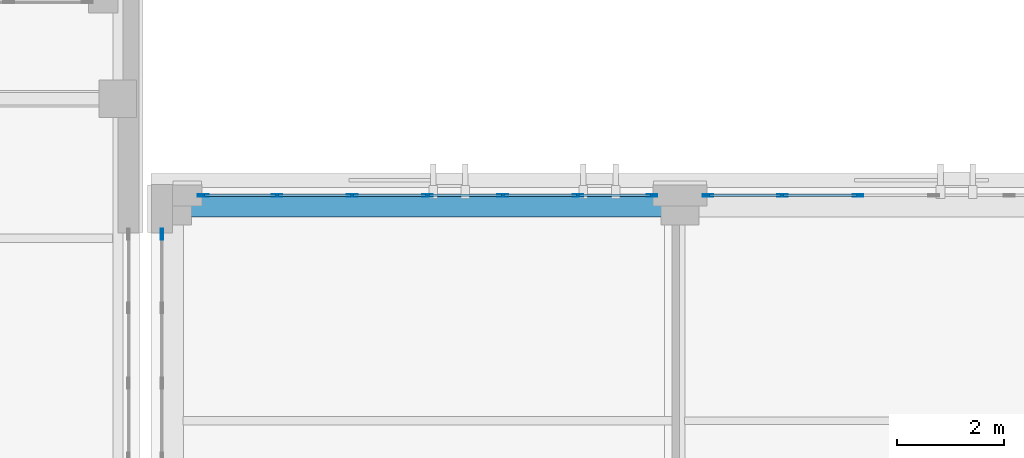
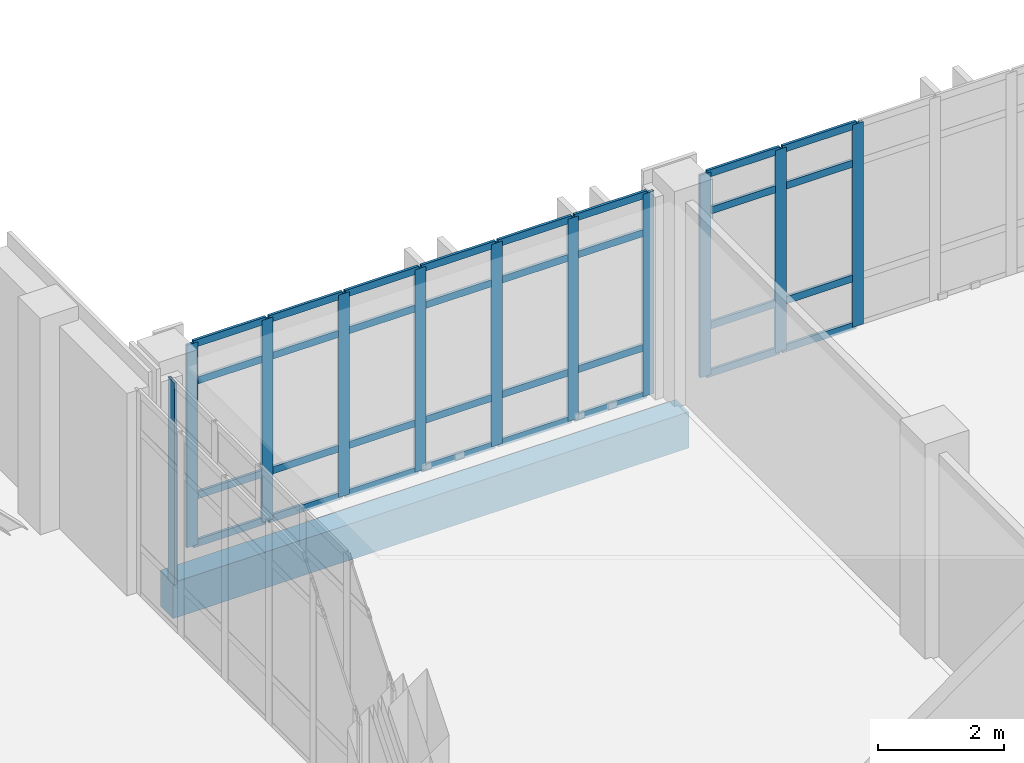
# One storey, part 24 of 158: 43 members, 1 beam, 3 elements without a shape of their own.
"""IFC4 building model written with IfcOpenShell, lengths in metres."""

from ifc_helpers import new_model, si_unit, direction, frame, origin, origin_2d, place, context, subcontext, project, spatial, rectangle, hollow_rectangle, extrude, material, layer, layer_set, material_profile, profile_set, type_object, element, aggregate, save


model = new_model("IFC4")

# Units and contexts
model_context = context("Model", 3, precision=1e-05, world=origin(), true_north=direction((0.0, 1.0)))
body_context = subcontext(model_context, "Body", "Model", "MODEL_VIEW")
ifc_project = project(units=[si_unit("LENGTHUNIT", "METRE"), si_unit("AREAUNIT", "SQUARE_METRE"), si_unit("VOLUMEUNIT", "CUBIC_METRE"), si_unit("PLANEANGLEUNIT", "RADIAN"), si_unit("MASSUNIT", "GRAM", prefix="KILO")], contexts=[model_context])

# Site, building, storey
site_placement = place(None, origin())
site = spatial("IfcSite", under=ifc_project, at=site_placement, CompositionType="ELEMENT")
building_placement = place(site_placement, origin())
building = spatial("IfcBuilding", under=site, at=building_placement, Name="Qalavern Law Courts", CompositionType="ELEMENT")
storey_placement = place(building_placement, frame((0.0, 0.0, 18.60009765625)))
storey = spatial("IfcBuildingStorey", under=building, at=storey_placement, Name="L04", CompositionType="ELEMENT", Elevation=18.60009765625)

# Curtain wall, members
ifc_material_1 = material(Name="Anodised aluminium and insulated glazing", Category="aluminium")
ifc_layer = layer(ifc_material_1, 0.18505859375)
ifc_layer_set = layer_set([ifc_layer], Name="Anodised aluminium and insulated glazing")
curtain_wall_type = type_object("IfcCurtainWallType", Name="ENV-CW-HALL", PredefinedType="USERDEFINED", material=ifc_layer_set)
curtain_wall_1_placement = place(storey_placement, origin())
curtain_wall_1 = element("IfcCurtainWall", 1, at=curtain_wall_1_placement, inside=storey, type_object=curtain_wall_type, Name="V2 unitised curtain wall L04 north 6", ObjectType="UNITISED CURTAIN WALL", PredefinedType="USERDEFINED")
ifc_material_2 = material(Name="Anodised aluminium", Category="aluminium")
ifc_material_profile_1 = material_profile(ifc_material_2, hollow_rectangle(XDim=0.048095703125, YDim=0.199951171875, WallThickness=0.00439453125, at=origin_2d()), Name="ALU MULLION 48x200")
ifc_profile_set_1 = profile_set([ifc_material_profile_1], Name="Anodised aluminium")
member_type_1 = type_object("IfcMemberType", Name="ENV-CWM-48x200", PredefinedType="MULLION", material=ifc_profile_set_1)
member_1_placement = place(storey_placement, frame((47.392333984375, 30.199951171875, 0.0), z_axis=(0.0, 0.0, 1.0), x_axis=(0.0, -1.0, 0.0)))
member_1 = element("IfcMember", 2, at=member_1_placement, type_object=member_type_1, Name="CW-02 mullion 5", PredefinedType="MULLION", context=body_context, shape_type="SweptSolid", body=[
    extrude(hollow_rectangle(XDim=0.048095703125, YDim=0.199951171875, WallThickness=0.00439453125, at=origin_2d()), origin(), (0.0, 0.0, 1.0), 3.9248046875),
])
member_2_placement = place(storey_placement, frame((45.9833984375, 30.199951171875, 0.0), z_axis=(0.0, 0.0, 1.0), x_axis=(0.0, -1.0, 0.0)))
member_2 = element("IfcMember", 3, at=member_2_placement, type_object=member_type_1, Name="CW-02 mullion 6", PredefinedType="MULLION", context=body_context, shape_type="SweptSolid", body=[
    extrude(hollow_rectangle(XDim=0.048095703125, YDim=0.199951171875, WallThickness=0.00439453125, at=origin_2d()), origin(), (0.0, 0.0, 1.0), 3.9248046875),
])
member_3_placement = place(storey_placement, frame((44.598388671875, 30.199951171875, 0.0), z_axis=(0.0, 0.0, 1.0), x_axis=(0.0, -1.0, 0.0)))
member_3 = element("IfcMember", 4, at=member_3_placement, type_object=member_type_1, Name="CW-02 mullion 7", PredefinedType="MULLION", context=body_context, shape_type="SweptSolid", body=[
    extrude(hollow_rectangle(XDim=0.048095703125, YDim=0.199951171875, WallThickness=0.00439453125, at=origin_2d()), origin(), (0.0, 0.0, 1.0), 3.9248046875),
])

curtain_wall_2_placement = place(storey_placement, origin())
curtain_wall_2 = element("IfcCurtainWall", 5, at=curtain_wall_2_placement, inside=storey, type_object=curtain_wall_type, Name="V2 unitised curtain wall L04 north 7", ObjectType="UNITISED CURTAIN WALL", PredefinedType="USERDEFINED")
member_4_placement = place(storey_placement, frame((43.55029296875, 30.199951171875, 0.0), z_axis=(0.0, 0.0, 1.0), x_axis=(0.0, -1.0, 0.0)))
member_4 = element("IfcMember", 6, at=member_4_placement, type_object=member_type_1, Name="CW-02 mullion 1", PredefinedType="MULLION", context=body_context, shape_type="SweptSolid", body=[
    extrude(hollow_rectangle(XDim=0.048095703125, YDim=0.199951171875, WallThickness=0.00439453125, at=origin_2d()), origin(), (0.0, 0.0, 1.0), 3.9248046875),
])
member_5_placement = place(storey_placement, frame((42.1728515625, 30.199951171875, 0.0), z_axis=(0.0, 0.0, 1.0), x_axis=(0.0, -1.0, 0.0)))
member_5 = element("IfcMember", 7, at=member_5_placement, type_object=member_type_1, Name="CW-02 mullion 2", PredefinedType="MULLION", context=body_context, shape_type="SweptSolid", body=[
    extrude(hollow_rectangle(XDim=0.048095703125, YDim=0.199951171875, WallThickness=0.00439453125, at=origin_2d()), origin(), (0.0, 0.0, 1.0), 3.9248046875),
])
member_6_placement = place(storey_placement, frame((40.771240234375, 30.199951171875, 0.0), z_axis=(0.0, 0.0, 1.0), x_axis=(0.0, -1.0, 0.0)))
member_6 = element("IfcMember", 8, at=member_6_placement, type_object=member_type_1, Name="CW-02 mullion 3", PredefinedType="MULLION", context=body_context, shape_type="SweptSolid", body=[
    extrude(hollow_rectangle(XDim=0.048095703125, YDim=0.199951171875, WallThickness=0.00439453125, at=origin_2d()), origin(), (0.0, 0.0, 1.0), 3.9248046875),
])
member_7_placement = place(storey_placement, frame((39.36962890625, 30.199951171875, 0.0), z_axis=(0.0, 0.0, 1.0), x_axis=(0.0, -1.0, 0.0)))
member_7 = element("IfcMember", 9, at=member_7_placement, type_object=member_type_1, Name="CW-02 mullion 4", PredefinedType="MULLION", context=body_context, shape_type="SweptSolid", body=[
    extrude(hollow_rectangle(XDim=0.048095703125, YDim=0.199951171875, WallThickness=0.00439453125, at=origin_2d()), origin(), (0.0, 0.0, 1.0), 3.9248046875),
])
member_8_placement = place(storey_placement, frame((37.968017578125, 30.199951171875, 0.0), z_axis=(0.0, 0.0, 1.0), x_axis=(0.0, -1.0, 0.0)))
member_8 = element("IfcMember", 10, at=member_8_placement, type_object=member_type_1, Name="CW-02 mullion 5", PredefinedType="MULLION", context=body_context, shape_type="SweptSolid", body=[
    extrude(hollow_rectangle(XDim=0.048095703125, YDim=0.199951171875, WallThickness=0.00439453125, at=origin_2d()), origin(), (0.0, 0.0, 1.0), 3.9248046875),
])
member_9_placement = place(storey_placement, frame((36.566650390625, 30.199951171875, 0.0), z_axis=(0.0, 0.0, 1.0), x_axis=(0.0, -1.0, 0.0)))
member_9 = element("IfcMember", 11, at=member_9_placement, type_object=member_type_1, Name="CW-02 mullion 6", PredefinedType="MULLION", context=body_context, shape_type="SweptSolid", body=[
    extrude(hollow_rectangle(XDim=0.048095703125, YDim=0.199951171875, WallThickness=0.00439453125, at=origin_2d()), origin(), (0.0, 0.0, 1.0), 3.9248046875),
])
member_10_placement = place(storey_placement, frame((35.18896484375, 30.199951171875, 0.0), z_axis=(0.0, 0.0, 1.0), x_axis=(0.0, -1.0, 0.0)))
member_10 = element("IfcMember", 12, at=member_10_placement, type_object=member_type_1, Name="CW-02 mullion 7", PredefinedType="MULLION", context=body_context, shape_type="SweptSolid", body=[
    extrude(hollow_rectangle(XDim=0.048095703125, YDim=0.199951171875, WallThickness=0.00439453125, at=origin_2d()), origin(), (0.0, 0.0, 1.0), 3.9248046875),
])

# Curtain wall, member
curtain_wall_3_placement = place(storey_placement, origin())
curtain_wall_3 = element("IfcCurtainWall", 13, at=curtain_wall_3_placement, inside=storey, type_object=curtain_wall_type, Name="V2 unitised curtain wall L04 west 1", ObjectType="UNITISED CURTAIN WALL", PredefinedType="USERDEFINED")
member_11_placement = place(storey_placement, frame((34.419921875, 29.47607421875, 0.0), z_axis=(0.0, 0.0, 1.0), x_axis=(1.0, 0.0, 0.0)))
member_11 = element("IfcMember", 14, at=member_11_placement, type_object=member_type_1, Name="CW-02 mullion 1", PredefinedType="MULLION", context=body_context, shape_type="SweptSolid", body=[
    extrude(hollow_rectangle(XDim=0.048095703125, YDim=0.199951171875, WallThickness=0.00439453125, at=origin_2d()), origin(), (0.0, 0.0, 1.0), 3.9248046875),
])
aggregate(curtain_wall_3, [member_11])

# Member
ifc_material_profile_2 = material_profile(ifc_material_2, hollow_rectangle(XDim=0.048095703125, YDim=0.139892578125, WallThickness=0.00390625, at=origin_2d()), Name="ALU TRANSOM 48x140")
ifc_profile_set_2 = profile_set([ifc_material_profile_2], Name="Anodised aluminium")
member_type_2 = type_object("IfcMemberType", Name="ENV-CWT-48x140", PredefinedType="USERDEFINED", material=ifc_profile_set_2)
member_12_placement = place(storey_placement, frame((47.368408203125, 30.199951171875, 0.02392578125), z_axis=(-1.0, 0.0, 0.0), x_axis=(0.0, -1.0, 0.0)))
member_12 = element("IfcMember", 15, at=member_12_placement, type_object=member_type_2, Name="CW-02 transom 5.1", ObjectType="TRANSOM", PredefinedType="USERDEFINED", context=body_context, shape_type="SweptSolid", body=[
    extrude(hollow_rectangle(XDim=0.048095703125, YDim=0.139892578125, WallThickness=0.00390625, at=origin_2d()), origin(), (0.0, 0.0, 1.0), 1.361083984375),
])

member_13_placement = place(storey_placement, frame((47.368408203125, 30.199951171875, 0.949951171875), z_axis=(-1.0, 0.0, 0.0), x_axis=(0.0, -1.0, 0.0)))
member_13 = element("IfcMember", 16, at=member_13_placement, type_object=member_type_2, Name="CW-02 transom 5.2", ObjectType="TRANSOM", PredefinedType="USERDEFINED", context=body_context, shape_type="SweptSolid", body=[
    extrude(hollow_rectangle(XDim=0.048095703125, YDim=0.139892578125, WallThickness=0.00390625, at=origin_2d()), origin(), (0.0, 0.0, 1.0), 1.361083984375),
])

member_14_placement = place(storey_placement, frame((47.368408203125, 30.199951171875, 3.1748046875), z_axis=(-1.0, 0.0, 0.0), x_axis=(0.0, -1.0, 0.0)))
member_14 = element("IfcMember", 17, at=member_14_placement, type_object=member_type_2, Name="CW-02 transom 5.3", ObjectType="TRANSOM", PredefinedType="USERDEFINED", context=body_context, shape_type="SweptSolid", body=[
    extrude(hollow_rectangle(XDim=0.048095703125, YDim=0.139892578125, WallThickness=0.00390625, at=origin_2d()), origin(), (0.0, 0.0, 1.0), 1.361083984375),
])

member_15_placement = place(storey_placement, frame((47.368408203125, 30.199951171875, 3.90087890625), z_axis=(-1.0, 0.0, 0.0), x_axis=(0.0, -1.0, 0.0)))
member_15 = element("IfcMember", 18, at=member_15_placement, type_object=member_type_2, Name="CW-02 transom 5.4", ObjectType="TRANSOM", PredefinedType="USERDEFINED", context=body_context, shape_type="SweptSolid", body=[
    extrude(hollow_rectangle(XDim=0.048095703125, YDim=0.139892578125, WallThickness=0.00390625, at=origin_2d()), origin(), (0.0, 0.0, 1.0), 1.361083984375),
])

member_16_placement = place(storey_placement, frame((45.959228515625, 30.199951171875, 0.02392578125), z_axis=(-1.0, 0.0, 0.0), x_axis=(0.0, -1.0, 0.0)))
member_16 = element("IfcMember", 19, at=member_16_placement, type_object=member_type_2, Name="CW-02 transom 6.1", ObjectType="TRANSOM", PredefinedType="USERDEFINED", context=body_context, shape_type="SweptSolid", body=[
    extrude(hollow_rectangle(XDim=0.048095703125, YDim=0.139892578125, WallThickness=0.00390625, at=origin_2d()), origin(), (0.0, 0.0, 1.0), 1.3369140625),
])

member_17_placement = place(storey_placement, frame((45.959228515625, 30.199951171875, 0.949951171875), z_axis=(-1.0, 0.0, 0.0), x_axis=(0.0, -1.0, 0.0)))
member_17 = element("IfcMember", 20, at=member_17_placement, type_object=member_type_2, Name="CW-02 transom 6.2", ObjectType="TRANSOM", PredefinedType="USERDEFINED", context=body_context, shape_type="SweptSolid", body=[
    extrude(hollow_rectangle(XDim=0.048095703125, YDim=0.139892578125, WallThickness=0.00390625, at=origin_2d()), origin(), (0.0, 0.0, 1.0), 1.3369140625),
])

member_18_placement = place(storey_placement, frame((45.959228515625, 30.199951171875, 3.1748046875), z_axis=(-1.0, 0.0, 0.0), x_axis=(0.0, -1.0, 0.0)))
member_18 = element("IfcMember", 21, at=member_18_placement, type_object=member_type_2, Name="CW-02 transom 6.3", ObjectType="TRANSOM", PredefinedType="USERDEFINED", context=body_context, shape_type="SweptSolid", body=[
    extrude(hollow_rectangle(XDim=0.048095703125, YDim=0.139892578125, WallThickness=0.00390625, at=origin_2d()), origin(), (0.0, 0.0, 1.0), 1.3369140625),
])

member_19_placement = place(storey_placement, frame((45.959228515625, 30.199951171875, 3.90087890625), z_axis=(-1.0, 0.0, 0.0), x_axis=(0.0, -1.0, 0.0)))
member_19 = element("IfcMember", 22, at=member_19_placement, type_object=member_type_2, Name="CW-02 transom 6.4", ObjectType="TRANSOM", PredefinedType="USERDEFINED", context=body_context, shape_type="SweptSolid", body=[
    extrude(hollow_rectangle(XDim=0.048095703125, YDim=0.139892578125, WallThickness=0.00390625, at=origin_2d()), origin(), (0.0, 0.0, 1.0), 1.3369140625),
])

aggregate(curtain_wall_1, [member_1, member_2, member_3, member_12, member_13, member_14, member_15, member_16, member_17, member_18, member_19])

member_20_placement = place(storey_placement, frame((43.5263671875, 30.199951171875, 0.02392578125), z_axis=(-1.0, 0.0, 0.0), x_axis=(0.0, -1.0, 0.0)))
member_20 = element("IfcMember", 23, at=member_20_placement, type_object=member_type_2, Name="CW-02 transom 1.1", ObjectType="TRANSOM", PredefinedType="USERDEFINED", context=body_context, shape_type="SweptSolid", body=[
    extrude(hollow_rectangle(XDim=0.048095703125, YDim=0.139892578125, WallThickness=0.00390625, at=origin_2d()), origin(), (0.0, 0.0, 1.0), 1.32958984375),
])

member_21_placement = place(storey_placement, frame((43.5263671875, 30.199951171875, 0.949951171875), z_axis=(-1.0, 0.0, 0.0), x_axis=(0.0, -1.0, 0.0)))
member_21 = element("IfcMember", 24, at=member_21_placement, type_object=member_type_2, Name="CW-02 transom 1.2", ObjectType="TRANSOM", PredefinedType="USERDEFINED", context=body_context, shape_type="SweptSolid", body=[
    extrude(hollow_rectangle(XDim=0.048095703125, YDim=0.139892578125, WallThickness=0.00390625, at=origin_2d()), origin(), (0.0, 0.0, 1.0), 1.32958984375),
])

member_22_placement = place(storey_placement, frame((43.5263671875, 30.199951171875, 3.1748046875), z_axis=(-1.0, 0.0, 0.0), x_axis=(0.0, -1.0, 0.0)))
member_22 = element("IfcMember", 25, at=member_22_placement, type_object=member_type_2, Name="CW-02 transom 1.3", ObjectType="TRANSOM", PredefinedType="USERDEFINED", context=body_context, shape_type="SweptSolid", body=[
    extrude(hollow_rectangle(XDim=0.048095703125, YDim=0.139892578125, WallThickness=0.00390625, at=origin_2d()), origin(), (0.0, 0.0, 1.0), 1.32958984375),
])

member_23_placement = place(storey_placement, frame((43.5263671875, 30.199951171875, 3.90087890625), z_axis=(-1.0, 0.0, 0.0), x_axis=(0.0, -1.0, 0.0)))
member_23 = element("IfcMember", 26, at=member_23_placement, type_object=member_type_2, Name="CW-02 transom 1.4", ObjectType="TRANSOM", PredefinedType="USERDEFINED", context=body_context, shape_type="SweptSolid", body=[
    extrude(hollow_rectangle(XDim=0.048095703125, YDim=0.139892578125, WallThickness=0.00390625, at=origin_2d()), origin(), (0.0, 0.0, 1.0), 1.32958984375),
])

member_24_placement = place(storey_placement, frame((42.148681640625, 30.199951171875, 0.02392578125), z_axis=(-1.0, 0.0, 0.0), x_axis=(0.0, -1.0, 0.0)))
member_24 = element("IfcMember", 27, at=member_24_placement, type_object=member_type_2, Name="CW-02 transom 2.1", ObjectType="TRANSOM", PredefinedType="USERDEFINED", context=body_context, shape_type="SweptSolid", body=[
    extrude(hollow_rectangle(XDim=0.048095703125, YDim=0.139892578125, WallThickness=0.00390625, at=origin_2d()), origin(), (0.0, 0.0, 1.0), 1.353515625),
])

member_25_placement = place(storey_placement, frame((42.148681640625, 30.199951171875, 0.949951171875), z_axis=(-1.0, 0.0, 0.0), x_axis=(0.0, -1.0, 0.0)))
member_25 = element("IfcMember", 28, at=member_25_placement, type_object=member_type_2, Name="CW-02 transom 2.2", ObjectType="TRANSOM", PredefinedType="USERDEFINED", context=body_context, shape_type="SweptSolid", body=[
    extrude(hollow_rectangle(XDim=0.048095703125, YDim=0.139892578125, WallThickness=0.00390625, at=origin_2d()), origin(), (0.0, 0.0, 1.0), 1.353515625),
])

member_26_placement = place(storey_placement, frame((42.148681640625, 30.199951171875, 3.1748046875), z_axis=(-1.0, 0.0, 0.0), x_axis=(0.0, -1.0, 0.0)))
member_26 = element("IfcMember", 29, at=member_26_placement, type_object=member_type_2, Name="CW-02 transom 2.3", ObjectType="TRANSOM", PredefinedType="USERDEFINED", context=body_context, shape_type="SweptSolid", body=[
    extrude(hollow_rectangle(XDim=0.048095703125, YDim=0.139892578125, WallThickness=0.00390625, at=origin_2d()), origin(), (0.0, 0.0, 1.0), 1.353515625),
])

member_27_placement = place(storey_placement, frame((42.148681640625, 30.199951171875, 3.90087890625), z_axis=(-1.0, 0.0, 0.0), x_axis=(0.0, -1.0, 0.0)))
member_27 = element("IfcMember", 30, at=member_27_placement, type_object=member_type_2, Name="CW-02 transom 2.4", ObjectType="TRANSOM", PredefinedType="USERDEFINED", context=body_context, shape_type="SweptSolid", body=[
    extrude(hollow_rectangle(XDim=0.048095703125, YDim=0.139892578125, WallThickness=0.00390625, at=origin_2d()), origin(), (0.0, 0.0, 1.0), 1.353515625),
])

member_28_placement = place(storey_placement, frame((40.747314453125, 30.199951171875, 0.02392578125), z_axis=(-1.0, 0.0, 0.0), x_axis=(0.0, -1.0, 0.0)))
member_28 = element("IfcMember", 31, at=member_28_placement, type_object=member_type_2, Name="CW-02 transom 3.1", ObjectType="TRANSOM", PredefinedType="USERDEFINED", context=body_context, shape_type="SweptSolid", body=[
    extrude(hollow_rectangle(XDim=0.048095703125, YDim=0.139892578125, WallThickness=0.00390625, at=origin_2d()), origin(), (0.0, 0.0, 1.0), 1.353759765625),
])

member_29_placement = place(storey_placement, frame((40.747314453125, 30.199951171875, 0.949951171875), z_axis=(-1.0, 0.0, 0.0), x_axis=(0.0, -1.0, 0.0)))
member_29 = element("IfcMember", 32, at=member_29_placement, type_object=member_type_2, Name="CW-02 transom 3.2", ObjectType="TRANSOM", PredefinedType="USERDEFINED", context=body_context, shape_type="SweptSolid", body=[
    extrude(hollow_rectangle(XDim=0.048095703125, YDim=0.139892578125, WallThickness=0.00390625, at=origin_2d()), origin(), (0.0, 0.0, 1.0), 1.353759765625),
])

member_30_placement = place(storey_placement, frame((40.747314453125, 30.199951171875, 3.1748046875), z_axis=(-1.0, 0.0, 0.0), x_axis=(0.0, -1.0, 0.0)))
member_30 = element("IfcMember", 33, at=member_30_placement, type_object=member_type_2, Name="CW-02 transom 3.3", ObjectType="TRANSOM", PredefinedType="USERDEFINED", context=body_context, shape_type="SweptSolid", body=[
    extrude(hollow_rectangle(XDim=0.048095703125, YDim=0.139892578125, WallThickness=0.00390625, at=origin_2d()), origin(), (0.0, 0.0, 1.0), 1.353759765625),
])

member_31_placement = place(storey_placement, frame((40.747314453125, 30.199951171875, 3.90087890625), z_axis=(-1.0, 0.0, 0.0), x_axis=(0.0, -1.0, 0.0)))
member_31 = element("IfcMember", 34, at=member_31_placement, type_object=member_type_2, Name="CW-02 transom 3.4", ObjectType="TRANSOM", PredefinedType="USERDEFINED", context=body_context, shape_type="SweptSolid", body=[
    extrude(hollow_rectangle(XDim=0.048095703125, YDim=0.139892578125, WallThickness=0.00390625, at=origin_2d()), origin(), (0.0, 0.0, 1.0), 1.353759765625),
])

member_32_placement = place(storey_placement, frame((39.345703125, 30.199951171875, 0.02392578125), z_axis=(-1.0, 0.0, 0.0), x_axis=(0.0, -1.0, 0.0)))
member_32 = element("IfcMember", 35, at=member_32_placement, type_object=member_type_2, Name="CW-02 transom 4.1", ObjectType="TRANSOM", PredefinedType="USERDEFINED", context=body_context, shape_type="SweptSolid", body=[
    extrude(hollow_rectangle(XDim=0.048095703125, YDim=0.139892578125, WallThickness=0.00390625, at=origin_2d()), origin(), (0.0, 0.0, 1.0), 1.353515625),
])

member_33_placement = place(storey_placement, frame((39.345703125, 30.199951171875, 0.949951171875), z_axis=(-1.0, 0.0, 0.0), x_axis=(0.0, -1.0, 0.0)))
member_33 = element("IfcMember", 36, at=member_33_placement, type_object=member_type_2, Name="CW-02 transom 4.2", ObjectType="TRANSOM", PredefinedType="USERDEFINED", context=body_context, shape_type="SweptSolid", body=[
    extrude(hollow_rectangle(XDim=0.048095703125, YDim=0.139892578125, WallThickness=0.00390625, at=origin_2d()), origin(), (0.0, 0.0, 1.0), 1.353515625),
])

member_34_placement = place(storey_placement, frame((39.345703125, 30.199951171875, 3.1748046875), z_axis=(-1.0, 0.0, 0.0), x_axis=(0.0, -1.0, 0.0)))
member_34 = element("IfcMember", 37, at=member_34_placement, type_object=member_type_2, Name="CW-02 transom 4.3", ObjectType="TRANSOM", PredefinedType="USERDEFINED", context=body_context, shape_type="SweptSolid", body=[
    extrude(hollow_rectangle(XDim=0.048095703125, YDim=0.139892578125, WallThickness=0.00390625, at=origin_2d()), origin(), (0.0, 0.0, 1.0), 1.353515625),
])

member_35_placement = place(storey_placement, frame((39.345703125, 30.199951171875, 3.90087890625), z_axis=(-1.0, 0.0, 0.0), x_axis=(0.0, -1.0, 0.0)))
member_35 = element("IfcMember", 38, at=member_35_placement, type_object=member_type_2, Name="CW-02 transom 4.4", ObjectType="TRANSOM", PredefinedType="USERDEFINED", context=body_context, shape_type="SweptSolid", body=[
    extrude(hollow_rectangle(XDim=0.048095703125, YDim=0.139892578125, WallThickness=0.00390625, at=origin_2d()), origin(), (0.0, 0.0, 1.0), 1.353515625),
])

member_36_placement = place(storey_placement, frame((37.944091796875, 30.199951171875, 0.02392578125), z_axis=(-1.0, 0.0, 0.0), x_axis=(0.0, -1.0, 0.0)))
member_36 = element("IfcMember", 39, at=member_36_placement, type_object=member_type_2, Name="CW-02 transom 5.1", ObjectType="TRANSOM", PredefinedType="USERDEFINED", context=body_context, shape_type="SweptSolid", body=[
    extrude(hollow_rectangle(XDim=0.048095703125, YDim=0.139892578125, WallThickness=0.00390625, at=origin_2d()), origin(), (0.0, 0.0, 1.0), 1.353515625),
])

member_37_placement = place(storey_placement, frame((37.944091796875, 30.199951171875, 0.949951171875), z_axis=(-1.0, 0.0, 0.0), x_axis=(0.0, -1.0, 0.0)))
member_37 = element("IfcMember", 40, at=member_37_placement, type_object=member_type_2, Name="CW-02 transom 5.2", ObjectType="TRANSOM", PredefinedType="USERDEFINED", context=body_context, shape_type="SweptSolid", body=[
    extrude(hollow_rectangle(XDim=0.048095703125, YDim=0.139892578125, WallThickness=0.00390625, at=origin_2d()), origin(), (0.0, 0.0, 1.0), 1.353515625),
])

member_38_placement = place(storey_placement, frame((37.944091796875, 30.199951171875, 3.1748046875), z_axis=(-1.0, 0.0, 0.0), x_axis=(0.0, -1.0, 0.0)))
member_38 = element("IfcMember", 41, at=member_38_placement, type_object=member_type_2, Name="CW-02 transom 5.3", ObjectType="TRANSOM", PredefinedType="USERDEFINED", context=body_context, shape_type="SweptSolid", body=[
    extrude(hollow_rectangle(XDim=0.048095703125, YDim=0.139892578125, WallThickness=0.00390625, at=origin_2d()), origin(), (0.0, 0.0, 1.0), 1.353515625),
])

member_39_placement = place(storey_placement, frame((37.944091796875, 30.199951171875, 3.90087890625), z_axis=(-1.0, 0.0, 0.0), x_axis=(0.0, -1.0, 0.0)))
member_39 = element("IfcMember", 42, at=member_39_placement, type_object=member_type_2, Name="CW-02 transom 5.4", ObjectType="TRANSOM", PredefinedType="USERDEFINED", context=body_context, shape_type="SweptSolid", body=[
    extrude(hollow_rectangle(XDim=0.048095703125, YDim=0.139892578125, WallThickness=0.00390625, at=origin_2d()), origin(), (0.0, 0.0, 1.0), 1.353515625),
])

member_40_placement = place(storey_placement, frame((36.54248046875, 30.199951171875, 0.02392578125), z_axis=(-1.0, 0.0, 0.0), x_axis=(0.0, -1.0, 0.0)))
member_40 = element("IfcMember", 43, at=member_40_placement, type_object=member_type_2, Name="CW-02 transom 6.1", ObjectType="TRANSOM", PredefinedType="USERDEFINED", context=body_context, shape_type="SweptSolid", body=[
    extrude(hollow_rectangle(XDim=0.048095703125, YDim=0.139892578125, WallThickness=0.00390625, at=origin_2d()), origin(), (0.0, 0.0, 1.0), 1.32958984375),
])

member_41_placement = place(storey_placement, frame((36.54248046875, 30.199951171875, 0.949951171875), z_axis=(-1.0, 0.0, 0.0), x_axis=(0.0, -1.0, 0.0)))
member_41 = element("IfcMember", 44, at=member_41_placement, type_object=member_type_2, Name="CW-02 transom 6.2", ObjectType="TRANSOM", PredefinedType="USERDEFINED", context=body_context, shape_type="SweptSolid", body=[
    extrude(hollow_rectangle(XDim=0.048095703125, YDim=0.139892578125, WallThickness=0.00390625, at=origin_2d()), origin(), (0.0, 0.0, 1.0), 1.32958984375),
])

member_42_placement = place(storey_placement, frame((36.54248046875, 30.199951171875, 3.1748046875), z_axis=(-1.0, 0.0, 0.0), x_axis=(0.0, -1.0, 0.0)))
member_42 = element("IfcMember", 45, at=member_42_placement, type_object=member_type_2, Name="CW-02 transom 6.3", ObjectType="TRANSOM", PredefinedType="USERDEFINED", context=body_context, shape_type="SweptSolid", body=[
    extrude(hollow_rectangle(XDim=0.048095703125, YDim=0.139892578125, WallThickness=0.00390625, at=origin_2d()), origin(), (0.0, 0.0, 1.0), 1.32958984375),
])

member_43_placement = place(storey_placement, frame((36.54248046875, 30.199951171875, 3.90087890625), z_axis=(-1.0, 0.0, 0.0), x_axis=(0.0, -1.0, 0.0)))
member_43 = element("IfcMember", 46, at=member_43_placement, type_object=member_type_2, Name="CW-02 transom 6.4", ObjectType="TRANSOM", PredefinedType="USERDEFINED", context=body_context, shape_type="SweptSolid", body=[
    extrude(hollow_rectangle(XDim=0.048095703125, YDim=0.139892578125, WallThickness=0.00390625, at=origin_2d()), origin(), (0.0, 0.0, 1.0), 1.32958984375),
])

aggregate(curtain_wall_2, [member_4, member_5, member_6, member_7, member_8, member_9, member_10, member_20, member_21, member_22, member_23, member_24, member_25, member_26, member_27, member_28, member_29, member_30, member_31, member_32, member_33, member_34, member_35, member_36, member_37, member_38, member_39, member_40, member_41, member_42, member_43])

# Beam
ifc_material_3 = material(Name="Concrete C40/50", Category="concrete")
ifc_material_profile_3 = material_profile(ifc_material_3, rectangle(XDim=0.39990234375, YDim=0.699951171875, at=origin_2d()), Name="RC 400x700")
ifc_profile_set_3 = profile_set([ifc_material_profile_3], Name="Concrete C40/50")
beam_type = type_object("IfcBeamType", Name="STR-SP-RC400x700", PredefinedType="SPANDREL", material=ifc_profile_set_3)
beam_placement = place(storey_placement, frame((34.6201171875, 30.0, -0.630126953125), z_axis=(1.0, 0.0, 0.0), x_axis=(0.0, 1.0, 0.0)))
element("IfcBeam", 47, at=beam_placement, inside=storey, type_object=beam_type, Name="V2 X-beam 4-1 L04", PredefinedType="SPANDREL", context=body_context, shape_type="SweptSolid", body=[
    extrude(rectangle(XDim=0.39990234375, YDim=0.699951171875, at=origin_2d()), origin(), (0.0, 0.0, 1.0), 9.4541015625),
])

save(model, "model.ifc")
